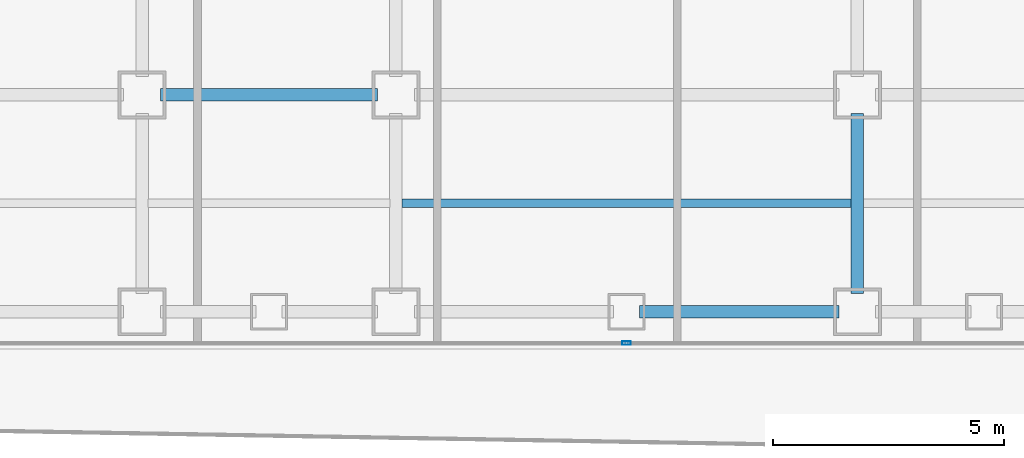
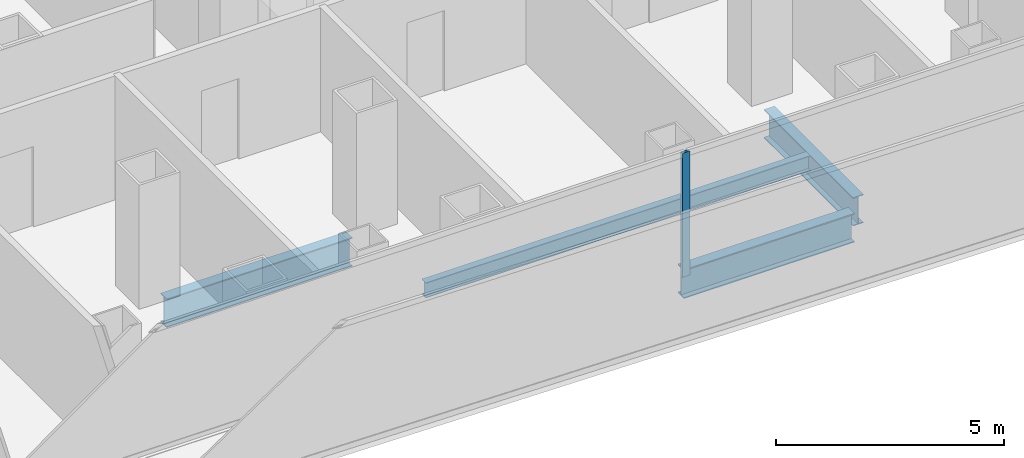
# One storey, part 4 of 22: 4 beams, 1 member, 1 element without a shape of its own.
"""IFC4 building model written with IfcOpenShell, lengths in metres."""

import ifcopenshell
import ifcopenshell.guid

model = None  # the IFC model being written
_history = None  # IfcOwnerHistory: only IFC2X3 demands one
_inside = {}  # id of a spatial element -> (the spatial element, [elements in it])
_under = {}  # id of a project, library or spatial element -> (it, [spatial elements below it])
_declared = {}  # id of a project -> (the project, [libraries it declares])
_typed = {}  # id of a type object -> (the type object, [elements of that type])
_made_of = {}  # id of a material, layer set ... -> (it, [elements and type objects made of it])


def new_model(schema):
    """Start an empty IFC model of exactly this schema.

    Asked for "IFC4X3", IfcOpenShell would pick the latest addendum, in which some entities
    have other attributes; the version numbers below select the first issue.
    IFC2X3 requires an IfcOwnerHistory on every rooted entity: one is made here for all.
    """
    global model, _history
    if schema == "IFC4X3":
        model = ifcopenshell.file(schema_version=(4, 3, 0, 0))
    else:
        model = ifcopenshell.file(schema=schema)
    _inside.clear()
    _under.clear()
    _declared.clear()
    _typed.clear()
    _made_of.clear()
    _history = None
    if model.schema == "IFC2X3":
        org = make("IfcOrganization", Name="unknown")
        user = make(
            "IfcPersonAndOrganization",
            ThePerson=make("IfcPerson", FamilyName="unknown"),
            TheOrganization=org,
        )
        app = make(
            "IfcApplication",
            ApplicationDeveloper=org,
            Version="unknown",
            ApplicationFullName="unknown",
            ApplicationIdentifier="unknown",
        )
        _history = make(
            "IfcOwnerHistory",
            OwningUser=user,
            OwningApplication=app,
            ChangeAction="ADDED",
            CreationDate=0,
        )
    return model


def make(cls, **values):
    """One entity of the class cls with the attributes given. An attribute that is None is left unset."""
    return model.create_entity(
        cls, **{name: value for name, value in values.items() if value is not None}
    )


def rooted(cls, **values):
    """An entity with a GlobalId (a new one), such as an element, a storey or a relation."""
    return make(cls, GlobalId=ifcopenshell.guid.new(), OwnerHistory=_history, **values)


def si_unit(unit_type, name, prefix=None):
    """IfcSIUnit, for example si_unit("LENGTHUNIT", "METRE", prefix="MILLI")."""
    return make("IfcSIUnit", UnitType=unit_type, Prefix=prefix, Name=name)


def assignment(units):
    """IfcUnitAssignment: the units of a project."""
    return None if units is None else make("IfcUnitAssignment", Units=units)


def point(xyz):
    """IfcCartesianPoint."""
    return None if xyz is None else make("IfcCartesianPoint", Coordinates=xyz)


def direction(xyz):
    """IfcDirection."""
    return None if xyz is None else make("IfcDirection", DirectionRatios=xyz)


def frame(location, z_axis=None, x_axis=None):
    """IfcAxis2Placement3D, a coordinate frame: its origin and axes. An axis left out is left unset."""
    return make(
        "IfcAxis2Placement3D",
        Location=point(location),
        Axis=direction(z_axis),
        RefDirection=direction(x_axis),
    )


def frame_2d(location, x_axis=None):
    """IfcAxis2Placement2D, a coordinate frame in the plane: its origin and x axis."""
    return make(
        "IfcAxis2Placement2D", Location=point(location), RefDirection=direction(x_axis)
    )


def origin():
    """The frame at (0, 0, 0) with its axes left unset."""
    return frame((0.0, 0.0, 0.0))


def origin_2d():
    """The frame at (0, 0) in the plane with its x axis left unset."""
    return frame_2d((0.0, 0.0))


def place(relative_to, where):
    """IfcLocalPlacement: puts the frame where relative to a parent placement (None: the world)."""
    return make(
        "IfcLocalPlacement", PlacementRelTo=relative_to, RelativePlacement=where
    )


def context(
    kind, dimensions, precision=None, world=None, true_north=None, identifier=None
):
    """IfcGeometricRepresentationContext, for example the 3D "Model" context."""
    return make(
        "IfcGeometricRepresentationContext",
        ContextIdentifier=identifier,
        ContextType=kind,
        CoordinateSpaceDimension=dimensions,
        Precision=precision,
        WorldCoordinateSystem=world,
        TrueNorth=true_north,
    )


def subcontext(parent, identifier, kind, view, scale=None):
    """IfcGeometricRepresentationSubContext, for example "Body" below "Model"."""
    return make(
        "IfcGeometricRepresentationSubContext",
        ContextIdentifier=identifier,
        ContextType=kind,
        ParentContext=parent,
        TargetScale=scale,
        TargetView=view,
    )


def project(units=None, contexts=None):
    """IfcProject with its units and contexts."""
    return rooted(
        "IfcProject",
        Name="project",
        RepresentationContexts=contexts,
        UnitsInContext=assignment(units),
    )


def spatial(cls, under=None, at=None, **own):
    """A site, building, storey or space (cls), placed at a placement, below another one or the project."""
    s = rooted(cls, ObjectPlacement=at, **own)
    if under is not None:
        _under.setdefault(under.id(), (under, []))[1].append(s)
    return s


def profile(cls, at=None, kind="AREA", **sizes):
    """A parametric profile (cls). Its sizes go by their IFC names, for example OverallWidth=200.0."""
    return make(cls, ProfileType=kind, Position=at, **sizes)


def hollow_rectangle(**sizes):
    """IfcRectangleHollowProfileDef."""
    return profile("IfcRectangleHollowProfileDef", **sizes)


def i_section(**sizes):
    """IfcIShapeProfileDef."""
    return profile("IfcIShapeProfileDef", **sizes)


def extrude(swept, where, along, depth):
    """IfcExtrudedAreaSolid: the profile swept, set in the frame where, extruded along a direction by depth."""
    return make(
        "IfcExtrudedAreaSolid",
        SweptArea=swept,
        Position=where,
        ExtrudedDirection=direction(along),
        Depth=depth,
    )


def shape(context_of_items, identifier, shape_type, items):
    """IfcShapeRepresentation: the items that make up one representation, for example the "Body"."""
    return make(
        "IfcShapeRepresentation",
        ContextOfItems=context_of_items,
        RepresentationIdentifier=identifier,
        RepresentationType=shape_type,
        Items=items,
    )


def source(mapping_origin, context_of_items, identifier, shape_type, items):
    """IfcRepresentationMap: a shape defined once, which mapped items show again and again."""
    return make(
        "IfcRepresentationMap",
        MappingOrigin=mapping_origin,
        MappedRepresentation=shape(context_of_items, identifier, shape_type, items),
    )


def transform(
    local_origin,
    x_axis=None,
    y_axis=None,
    z_axis=None,
    scale=None,
    scale2=None,
    scale3=None,
    uniform=True,
):
    """IfcCartesianTransformationOperator3D, or its non-uniform kind. x_axis, y_axis, z_axis: its Axis1, 2, 3."""
    if uniform:
        return make(
            "IfcCartesianTransformationOperator3D",
            Axis1=direction(x_axis),
            Axis2=direction(y_axis),
            LocalOrigin=point(local_origin),
            Scale=scale,
            Axis3=direction(z_axis),
        )
    return make(
        "IfcCartesianTransformationOperator3DnonUniform",
        Axis1=direction(x_axis),
        Axis2=direction(y_axis),
        LocalOrigin=point(local_origin),
        Scale=scale,
        Axis3=direction(z_axis),
        Scale2=scale2,
        Scale3=scale3,
    )


def mapped(mapping_source, mapping_target):
    """IfcMappedItem: shows the shape of a source again, moved by a transform."""
    return make(
        "IfcMappedItem", MappingSource=mapping_source, MappingTarget=mapping_target
    )


def material(Name=None, Category=None):
    """IfcMaterial."""
    return make("IfcMaterial", Name=Name, Category=Category)


def layer(
    of_material, thickness, ventilated=None, Name=None, Category=None, Priority=None
):
    """IfcMaterialLayer: one layer of a wall or slab, of a material (None: an air gap)."""
    return make(
        "IfcMaterialLayer",
        Material=of_material,
        LayerThickness=thickness,
        IsVentilated=ventilated,
        Name=Name,
        Category=Category,
        Priority=Priority,
    )


def layer_set(layers, Name=None):
    """IfcMaterialLayerSet."""
    return make("IfcMaterialLayerSet", MaterialLayers=layers, LayerSetName=Name)


def material_profile(
    of_material, cross_section, Name=None, Category=None, Priority=None
):
    """IfcMaterialProfile: a cross section and its material."""
    return make(
        "IfcMaterialProfile",
        Name=Name,
        Material=of_material,
        Profile=cross_section,
        Priority=Priority,
        Category=Category,
    )


def profile_set(profiles, Name=None, composite=None):
    """IfcMaterialProfileSet."""
    return make(
        "IfcMaterialProfileSet",
        Name=Name,
        MaterialProfiles=profiles,
        CompositeProfile=composite,
    )


def made_of(thing, what):
    """Note that an element or type object is made of a material, layer set ...; save() writes the relation."""
    if what is not None:
        _made_of.setdefault(what.id(), (what, []))[1].append(thing)
    return thing


def type_object(cls, material=None, **own):
    """A type object (cls), such as IfcWallType, which elements share."""
    return made_of(rooted(cls, **own), material)


def element(
    cls,
    number,
    at=None,
    inside=None,
    cuts=None,
    type_object=None,
    material=None,
    context=None,
    identifier="Body",
    shape_type=None,
    held_by="IfcProductDefinitionShape",
    body=None,
    shapes=None,
    **own,
):
    """One element of the class cls, such as IfcWall. Its Tag is "e" and its number.

    at: its placement. inside: the storey or other place that contains it. cuts: it is an
    opening in that element (IfcRelVoidsElement). A single representation is given by context,
    identifier, shape_type and body (its items); several are given by shapes. held_by: the class
    of the entity that holds the representations. save() writes the other relations.
    """
    e = rooted(cls, Tag="e%d" % number, ObjectPlacement=at, **own)
    if body is not None:
        shapes = [shape(context, identifier, shape_type, body)]
    if shapes is not None:
        e.Representation = make(held_by, Representations=shapes)
    if inside is not None:
        _inside.setdefault(inside.id(), (inside, []))[1].append(e)
    if cuts is not None:
        rooted(
            "IfcRelVoidsElement", RelatingBuildingElement=cuts, RelatedOpeningElement=e
        )
    if type_object is not None:
        _typed.setdefault(type_object.id(), (type_object, []))[1].append(e)
    return made_of(e, material)


def aggregate(whole, parts):
    """IfcRelAggregates: a whole, such as a stair, and the parts it consists of."""
    return rooted("IfcRelAggregates", RelatingObject=whole, RelatedObjects=parts)


def save(model, path):
    """Write the relations noted so far, then the file.

    IfcRelAggregates (storeys below a building ...), IfcRelContainedInSpatialStructure (elements
    in a storey), IfcRelDefinesByType, IfcRelAssociatesMaterial and IfcRelDeclares: one each for
    every whole, place, type object, material and project.
    """
    for whole, parts in _under.values():
        aggregate(whole, parts)
    for where, things in _inside.values():
        rooted(
            "IfcRelContainedInSpatialStructure",
            RelatedElements=things,
            RelatingStructure=where,
        )
    for kind, things in _typed.values():
        rooted("IfcRelDefinesByType", RelatedObjects=things, RelatingType=kind)
    for what, things in _made_of.values():
        rooted("IfcRelAssociatesMaterial", RelatedObjects=things, RelatingMaterial=what)
    for by, libraries in _declared.values():
        rooted("IfcRelDeclares", RelatingContext=by, RelatedDefinitions=libraries)
    model.write(path)


model = new_model("IFC4")

# Units and contexts
model_context = context("Model", 3, precision=1e-05, world=origin(), true_north=direction((0.0, 1.0)))
body_context = subcontext(model_context, "Body", "Model", "MODEL_VIEW")
ifc_project = project(units=[si_unit("LENGTHUNIT", "METRE"), si_unit("AREAUNIT", "SQUARE_METRE"), si_unit("VOLUMEUNIT", "CUBIC_METRE"), si_unit("PLANEANGLEUNIT", "RADIAN"), si_unit("MASSUNIT", "GRAM", prefix="KILO")], contexts=[model_context])

# Site, building, storey
site_placement = place(None, origin())
site = spatial("IfcSite", under=ifc_project, at=site_placement, CompositionType="ELEMENT")
building_placement = place(site_placement, origin())
building = spatial("IfcBuilding", under=site, at=building_placement, Name="Kolveth Station Tower", CompositionType="ELEMENT")
storey_placement = place(building_placement, frame((0.0, 0.0, 54.89990234375)))
storey = spatial("IfcBuildingStorey", under=building, at=storey_placement, Name="L14", CompositionType="ELEMENT", Elevation=54.89990234375)

# Beams
ifc_material_1 = material(Name="Steel S355", Category="steel")
ifc_material_profile_1 = material_profile(ifc_material_1, i_section(OverallWidth=0.26904296875, OverallDepth=0.77490234375, WebThickness=0.01708984375, FlangeThickness=0.0283203125, at=origin_2d()), Name="W760x220")
ifc_profile_set_1 = profile_set([ifc_material_profile_1], Name="Steel S355")
beam_type_1 = type_object("IfcBeamType", Name="Beam_SP1", PredefinedType="SPANDREL", material=ifc_profile_set_1)
shared_shape_1 = source(origin(), body_context, "Body", "SweptSolid", [
    extrude(i_section(OverallWidth=0.26904296875, OverallDepth=0.77490234375, WebThickness=0.01708984375, FlangeThickness=0.0283203125, at=origin_2d()), origin(), (0.0, 0.0, 1.0), 4.320068359375),
])
beam_1_placement = place(storey_placement, frame((23.780029296875, 0.800048828125, -0.66748046875), z_axis=(1.0, 0.0, 0.0), x_axis=(0.0, 1.0, 0.0)))
element("IfcBeam", 1, at=beam_1_placement, inside=storey, type_object=beam_type_1, Name="L14 Perimeter Spandrel BM-L14-PS-6", PredefinedType="SPANDREL", context=body_context, shape_type="MappedRepresentation", body=[
    mapped(shared_shape_1, transform((0.0, 0.0, 0.0), x_axis=(1.0, 0.0, 0.0), y_axis=(0.0, 1.0, 0.0), z_axis=(0.0, 0.0, 1.0), scale=1.0)),
])
ifc_material_profile_2 = material_profile(ifc_material_1, i_section(OverallWidth=0.26708984375, OverallDepth=0.76611328125, WebThickness=0.014892578125, FlangeThickness=0.023681640625, at=origin_2d()), Name="W760x185")
ifc_profile_set_2 = profile_set([ifc_material_profile_2], Name="Steel S355")
beam_type_2 = type_object("IfcBeamType", Name="Beam_B3", PredefinedType="BEAM", material=ifc_profile_set_2)
shared_shape_2 = source(origin(), body_context, "Body", "SweptSolid", [
    extrude(i_section(OverallWidth=0.26708984375, OverallDepth=0.76611328125, WebThickness=0.014892578125, FlangeThickness=0.023681640625, at=origin_2d()), origin(), (0.0, 0.0, 1.0), 4.7001953125),
])
beam_2_placement = place(storey_placement, frame((13.39990234375, 5.5, -0.662841796875), z_axis=(1.0, 0.0, 0.0), x_axis=(0.0, 1.0, 0.0)))
element("IfcBeam", 2, at=beam_2_placement, inside=storey, type_object=beam_type_2, Name="L14 Primary Girder BM-L14-GY55-3", PredefinedType="BEAM", context=body_context, shape_type="MappedRepresentation", body=[
    mapped(shared_shape_2, transform((0.0, 0.0, 0.0), x_axis=(1.0, 0.0, 0.0), y_axis=(0.0, 1.0, 0.0), z_axis=(0.0, 0.0, 1.0), scale=1.0)),
])
shared_shape_3 = source(origin(), body_context, "Body", "SweptSolid", [
    extrude(i_section(OverallWidth=0.26708984375, OverallDepth=0.76611328125, WebThickness=0.014892578125, FlangeThickness=0.023681640625, at=origin_2d()), origin(), (0.0, 0.0, 1.0), 3.900146484375),
])
beam_3_placement = place(storey_placement, frame((28.5, 1.199951171875, -0.662841796875), z_axis=(0.0, 1.0, 0.0), x_axis=(-1.0, 0.0, 0.0)))
element("IfcBeam", 3, at=beam_3_placement, inside=storey, type_object=beam_type_2, Name="L14 Primary Girder BM-L14-GX285-1", PredefinedType="BEAM", context=body_context, shape_type="MappedRepresentation", body=[
    mapped(shared_shape_3, transform((0.0, 0.0, 0.0), x_axis=(1.0, 0.0, 0.0), y_axis=(0.0, 1.0, 0.0), z_axis=(0.0, 0.0, 1.0), scale=1.0)),
])
ifc_material_profile_3 = material_profile(ifc_material_1, i_section(OverallWidth=0.177978515625, OverallDepth=0.406982421875, WebThickness=0.0078125, FlangeThickness=0.0126953125, at=origin_2d()), Name="W410x60")
ifc_profile_set_3 = profile_set([ifc_material_profile_3], Name="Steel S355")
beam_type_3 = type_object("IfcBeamType", Name="Beam_J1", PredefinedType="JOIST", material=ifc_profile_set_3)
shared_shape_4 = source(origin(), body_context, "Body", "SweptSolid", [
    extrude(i_section(OverallWidth=0.177978515625, OverallDepth=0.406982421875, WebThickness=0.0078125, FlangeThickness=0.0126953125, at=origin_2d()), origin(), (0.0, 0.0, 1.0), 9.73681640625),
])
beam_4_placement = place(storey_placement, frame((18.631591796875, 3.14990234375, -0.4833984375), z_axis=(1.0, 0.0, 0.0), x_axis=(0.0, 1.0, 0.0)))
element("IfcBeam", 4, at=beam_4_placement, inside=storey, type_object=beam_type_3, Name="L14 Secondary Joist JST-L14-4-1", PredefinedType="JOIST", context=body_context, shape_type="MappedRepresentation", body=[
    mapped(shared_shape_4, transform((0.0, 0.0, 0.0), x_axis=(1.0, 0.0, 0.0), y_axis=(0.0, 1.0, 0.0), z_axis=(0.0, 0.0, 1.0), scale=1.0)),
])

# Curtain wall, member
ifc_material_2 = material(Name="Aluminium 6063-T6 and low-E dark glass", Category="aluminium")
ifc_layer = layer(ifc_material_2, 0.179931640625)
ifc_layer_set = layer_set([ifc_layer], Name="Aluminium 6063-T6 and low-E dark glass")
curtain_wall_type = type_object("IfcCurtainWallType", Name="CurtainWall_CW-Z1", PredefinedType="NOTDEFINED", material=ifc_layer_set)
curtain_wall_placement = place(storey_placement, origin())
curtain_wall = element("IfcCurtainWall", 5, at=curtain_wall_placement, inside=storey, type_object=curtain_wall_type, Name="L14 Inner Thermal Curtain Wall 12", PredefinedType="NOTDEFINED")
ifc_material_3 = material(Name="Black anodized aluminium 6063-T6", Category="aluminium")
ifc_material_profile_4 = material_profile(ifc_material_3, hollow_rectangle(XDim=0.074951171875, YDim=0.18994140625, WallThickness=0.0048828125, at=origin_2d()), Name="ALU-75x190x5")
ifc_profile_set_4 = profile_set([ifc_material_profile_4], Name="Black anodized aluminium 6063-T6")
member_type = type_object("IfcMemberType", Name="Mullion_ML1", PredefinedType="MULLION", material=ifc_profile_set_4)
shared_shape_5 = source(origin(), body_context, "Body", "SweptSolid", [
    extrude(hollow_rectangle(XDim=0.074951171875, YDim=0.18994140625, WallThickness=0.0048828125, at=origin_2d()), origin(), (0.0, 0.0, 1.0), 3.320068359375),
])
member_placement = place(storey_placement, frame((23.5, 0.1201171875, 0.0), z_axis=(0.0, 0.0, 1.0), x_axis=(0.0, 1.0, 0.0)))
member = element("IfcMember", 6, at=member_placement, type_object=member_type, Name="CW-Z1 mullion 2", PredefinedType="MULLION", context=body_context, shape_type="MappedRepresentation", body=[
    mapped(shared_shape_5, transform((0.0, 0.0, 0.0), x_axis=(1.0, 0.0, 0.0), y_axis=(0.0, 1.0, 0.0), z_axis=(0.0, 0.0, 1.0), scale=1.0)),
])
aggregate(curtain_wall, [member])

save(model, "model.ifc")
